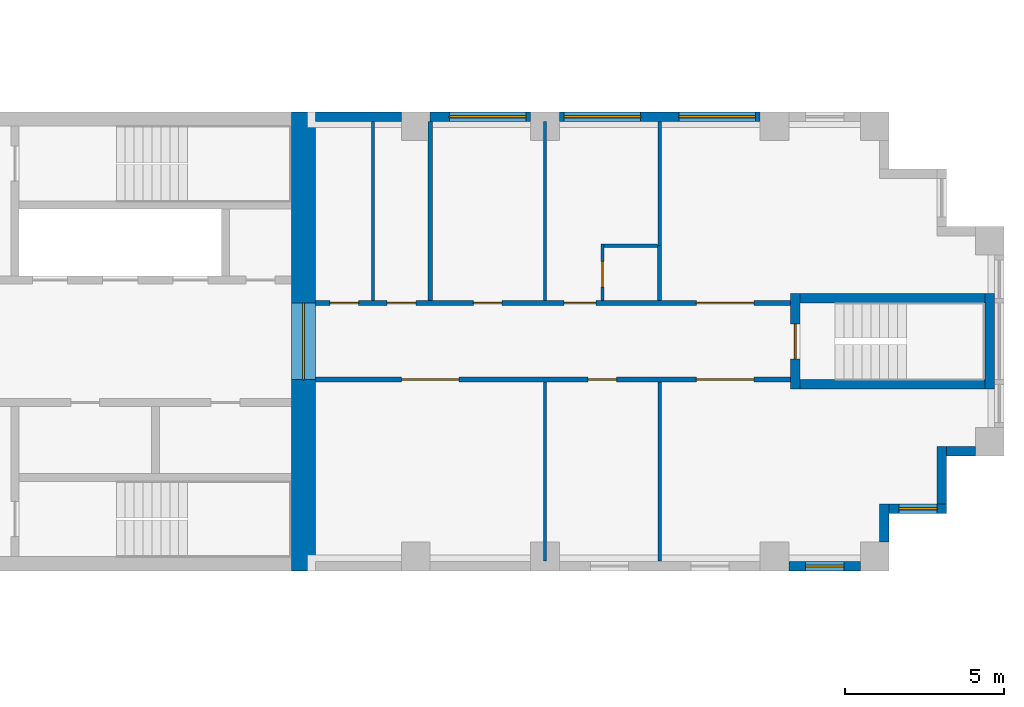
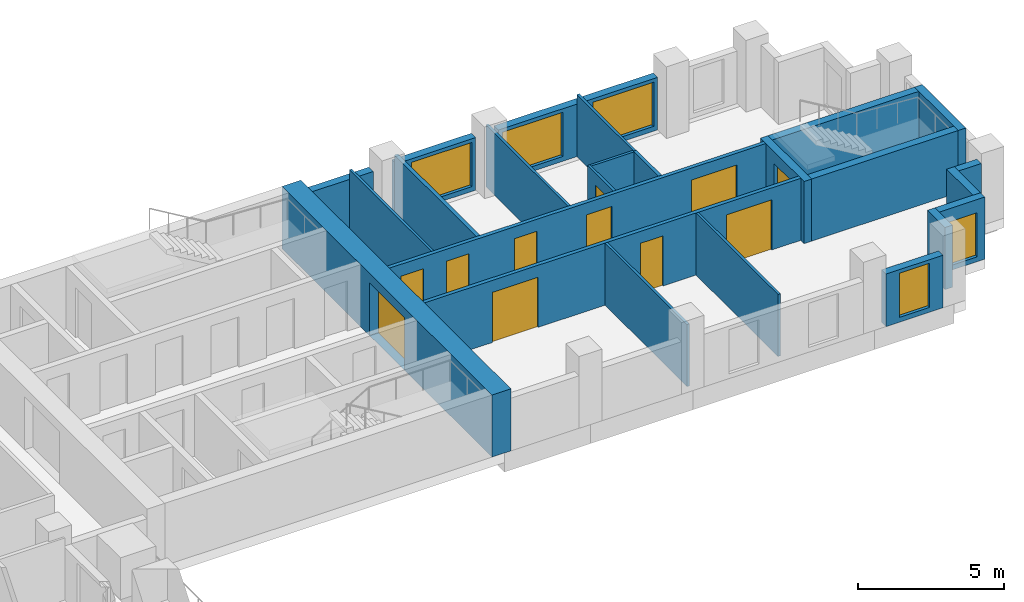
# One storey, part 8 of 11: 24 walls, 11 doors, 5 windows, 16 openings.
"""IFC4 building model written with IfcOpenShell, lengths in metres."""

from ifc_helpers import new_model, si_unit, direction, frame, frame_2d, origin, place, context, subcontext, project, spatial, rectangle, extrude, material, layer, layer_set, type_object, element, fill, save


model = new_model("IFC4")

# Units and contexts
model_context = context("Model", 3, precision=1e-05, world=origin(), true_north=direction((0.0, 1.0)))
body_context = subcontext(model_context, "Body", "Model", "MODEL_VIEW")
ifc_project = project(units=[si_unit("LENGTHUNIT", "METRE"), si_unit("AREAUNIT", "SQUARE_METRE"), si_unit("VOLUMEUNIT", "CUBIC_METRE"), si_unit("PLANEANGLEUNIT", "RADIAN"), si_unit("MASSUNIT", "GRAM", prefix="KILO")], contexts=[model_context])

# Site, building, storey
site_placement = place(None, origin())
site = spatial("IfcSite", under=ifc_project, at=site_placement, CompositionType="ELEMENT")
building_placement = place(site_placement, origin())
building = spatial("IfcBuilding", under=site, at=building_placement, Name="Fustian Cross Tower", CompositionType="ELEMENT")
storey_placement = place(building_placement, frame((0.0, 0.0, 144.300048828125)))
storey = spatial("IfcBuildingStorey", under=building, at=storey_placement, Name="L45", CompositionType="ELEMENT", Elevation=144.300048828125)

# Wall, openings, doors
ifc_material_1 = material(Name="Plasterboard on steel stud", Category="steel")
ifc_layer_1 = layer(ifc_material_1, 0.14990234375)
ifc_layer_set_1 = layer_set([ifc_layer_1], Name="Plasterboard on steel stud")
wall_type_1 = type_object("IfcWallType", Name="COMPARTMENT WALL 150 EI 60", PredefinedType="PARTITIONING", material=ifc_layer_set_1)
wall_1_placement = place(storey_placement, frame((21.60009765625, -1.199951171875, 0.0), z_axis=(0.0, 0.0, 1.0), x_axis=(1.0, 0.0, 0.0)))
wall_1 = element("IfcWall", 1, at=wall_1_placement, inside=storey, type_object=wall_type_1, Name="Partition 36", PredefinedType="PARTITIONING", context=body_context, shape_type="SweptSolid", body=[
    extrude(rectangle(XDim=14.89990234375, YDim=0.14990234375, at=frame_2d((7.449951171875, 0.0))), origin(), (0.0, 0.0, 1.0), 2.599853515625),
])
opening_1_placement = place(wall_1_placement, frame((2.699951171875, 0.0, 0.0)))
opening_1 = element("IfcOpeningElement", 2, at=opening_1_placement, cuts=wall_1, Name="Opening D20011", PredefinedType="OPENING", context=body_context, shape_type="SweptSolid", body=[
    extrude(rectangle(XDim=1.800048828125, YDim=2.10009765625, at=frame_2d((0.89990234375, 1.050048828125))), frame((0.0, 0.0849609375, 0.0), z_axis=(0.0, -1.0, 0.0), x_axis=(1.0, 0.0, 0.0)), (0.0, 0.0, 1.0), 0.169921875),
])
opening_2_placement = place(wall_1_placement, frame((8.550048828125, 0.0, 0.0)))
opening_2 = element("IfcOpeningElement", 3, at=opening_2_placement, cuts=wall_1, Name="Opening D20012", PredefinedType="OPENING", context=body_context, shape_type="SweptSolid", body=[
    extrude(rectangle(XDim=0.89990234375, YDim=2.10009765625, at=frame_2d((0.449951171875, 1.050048828125))), frame((0.0, 0.0849609375, 0.0), z_axis=(0.0, -1.0, 0.0), x_axis=(1.0, 0.0, 0.0)), (0.0, 0.0, 1.0), 0.169921875),
])
opening_3_placement = place(wall_1_placement, frame((11.949951171875, 0.0, 0.0)))
opening_3 = element("IfcOpeningElement", 4, at=opening_3_placement, cuts=wall_1, Name="Opening D20013", PredefinedType="OPENING", context=body_context, shape_type="SweptSolid", body=[
    extrude(rectangle(XDim=1.800048828125, YDim=2.10009765625, at=frame_2d((0.89990234375, 1.050048828125))), frame((0.0, 0.0849609375, 0.0), z_axis=(0.0, -1.0, 0.0), x_axis=(1.0, 0.0, 0.0)), (0.0, 0.0, 1.0), 0.169921875),
])
ifc_material_2 = material(Name="Timber fire door set", Category="wood")
door_type_1 = type_object("IfcDoorType", Name="FIRE DOUBLE DOOR 1800 FD30S", OperationType="DOUBLE_DOOR_DOUBLE_SWING", PredefinedType="DOOR", material=ifc_material_2)
door_1_placement = place(opening_1_placement, origin())
door_1 = element("IfcDoor", 5, at=door_1_placement, inside=storey, type_object=door_type_1, Name="Door D20011", OperationType="DOUBLE_DOOR_DOUBLE_SWING", OverallHeight=2.10009765625, OverallWidth=1.800048828125, PredefinedType="DOOR", context=body_context, shape_type="SweptSolid", body=[
    extrude(rectangle(XDim=1.800048828125, YDim=2.10009765625, at=frame_2d((0.89990234375, 1.050048828125))), frame((0.0, 0.02490234375, 0.0), z_axis=(0.0, -1.0, 0.0), x_axis=(1.0, 0.0, 0.0)), (0.0, 0.0, 1.0), 0.050048828125),
])
fill(opening_1, door_1)
door_2_placement = place(opening_3_placement, origin())
door_2 = element("IfcDoor", 6, at=door_2_placement, inside=storey, type_object=door_type_1, Name="Door D20013", OperationType="DOUBLE_DOOR_DOUBLE_SWING", OverallHeight=2.10009765625, OverallWidth=1.800048828125, PredefinedType="DOOR", context=body_context, shape_type="SweptSolid", body=[
    extrude(rectangle(XDim=1.800048828125, YDim=2.10009765625, at=frame_2d((0.89990234375, 1.050048828125))), frame((0.0, 0.02490234375, 0.0), z_axis=(0.0, -1.0, 0.0), x_axis=(1.0, 0.0, 0.0)), (0.0, 0.0, 1.0), 0.050048828125),
])
fill(opening_3, door_2)
ifc_material_3 = material(Name="Timber fire door set", Category="wood")
door_type_2 = type_object("IfcDoorType", Name="FIRE SWING DOOR 900 FD30S", OperationType="SINGLE_SWING_LEFT", PredefinedType="DOOR", material=ifc_material_3)
door_3_placement = place(opening_2_placement, frame((0.89990234375, 0.0, 0.0), z_axis=(0.0, 0.0, 1.0), x_axis=(-1.0, 0.0, 0.0)))
door_3 = element("IfcDoor", 7, at=door_3_placement, inside=storey, type_object=door_type_2, Name="Door D20012", OperationType="SINGLE_SWING_RIGHT", OverallHeight=2.10009765625, OverallWidth=0.89990234375, PredefinedType="DOOR", context=body_context, shape_type="SweptSolid", body=[
    extrude(rectangle(XDim=0.89990234375, YDim=2.10009765625, at=frame_2d((0.449951171875, 1.050048828125))), frame((0.0, 0.02490234375, 0.0), z_axis=(0.0, -1.0, 0.0), x_axis=(1.0, 0.0, 0.0)), (0.0, 0.0, 1.0), 0.050048828125),
])
fill(opening_2, door_3)

wall_2_placement = place(storey_placement, frame((21.60009765625, 1.199951171875, 0.0), z_axis=(0.0, 0.0, 1.0), x_axis=(1.0, 0.0, 0.0)))
wall_2 = element("IfcWall", 8, at=wall_2_placement, inside=storey, type_object=wall_type_1, Name="Partition 37", PredefinedType="PARTITIONING", context=body_context, shape_type="SweptSolid", body=[
    extrude(rectangle(XDim=14.89990234375, YDim=0.14990234375, at=frame_2d((7.449951171875, 0.0))), origin(), (0.0, 0.0, 1.0), 2.599853515625),
])
opening_4_placement = place(wall_2_placement, frame((0.449951171875, 0.0, 0.0)))
opening_4 = element("IfcOpeningElement", 9, at=opening_4_placement, cuts=wall_2, Name="Opening D20005", PredefinedType="OPENING", context=body_context, shape_type="SweptSolid", body=[
    extrude(rectangle(XDim=0.89990234375, YDim=2.10009765625, at=frame_2d((0.449951171875, 1.050048828125))), frame((0.0, 0.0849609375, 0.0), z_axis=(0.0, -1.0, 0.0), x_axis=(1.0, 0.0, 0.0)), (0.0, 0.0, 1.0), 0.169921875),
])
opening_5_placement = place(wall_2_placement, frame((2.25, 0.0, 0.0)))
opening_5 = element("IfcOpeningElement", 10, at=opening_5_placement, cuts=wall_2, Name="Opening D20006", PredefinedType="OPENING", context=body_context, shape_type="SweptSolid", body=[
    extrude(rectangle(XDim=0.89990234375, YDim=2.10009765625, at=frame_2d((0.449951171875, 1.050048828125))), frame((0.0, 0.0849609375, 0.0), z_axis=(0.0, -1.0, 0.0), x_axis=(1.0, 0.0, 0.0)), (0.0, 0.0, 1.0), 0.169921875),
])
opening_6_placement = place(wall_2_placement, frame((4.949951171875, 0.0, 0.0)))
opening_6 = element("IfcOpeningElement", 11, at=opening_6_placement, cuts=wall_2, Name="Opening D20007", PredefinedType="OPENING", context=body_context, shape_type="SweptSolid", body=[
    extrude(rectangle(XDim=0.89990234375, YDim=2.10009765625, at=frame_2d((0.449951171875, 1.050048828125))), frame((0.0, 0.0849609375, 0.0), z_axis=(0.0, -1.0, 0.0), x_axis=(1.0, 0.0, 0.0)), (0.0, 0.0, 1.0), 0.169921875),
])
opening_7_placement = place(wall_2_placement, frame((7.800048828125, 0.0, 0.0)))
opening_7 = element("IfcOpeningElement", 12, at=opening_7_placement, cuts=wall_2, Name="Opening D20009", PredefinedType="OPENING", context=body_context, shape_type="SweptSolid", body=[
    extrude(rectangle(XDim=1.0, YDim=2.10009765625, at=frame_2d((0.5, 1.050048828125))), frame((0.0, 0.0849609375, 0.0), z_axis=(0.0, -1.0, 0.0), x_axis=(1.0, 0.0, 0.0)), (0.0, 0.0, 1.0), 0.169921875),
])
opening_8_placement = place(wall_2_placement, frame((11.949951171875, 0.0, 0.0)))
opening_8 = element("IfcOpeningElement", 13, at=opening_8_placement, cuts=wall_2, Name="Opening D20010", PredefinedType="OPENING", context=body_context, shape_type="SweptSolid", body=[
    extrude(rectangle(XDim=1.800048828125, YDim=2.10009765625, at=frame_2d((0.89990234375, 1.050048828125))), frame((0.0, 0.0849609375, 0.0), z_axis=(0.0, -1.0, 0.0), x_axis=(1.0, 0.0, 0.0)), (0.0, 0.0, 1.0), 0.169921875),
])
door_4_placement = place(opening_8_placement, frame((1.800048828125, 0.0, 0.0), z_axis=(0.0, 0.0, 1.0), x_axis=(-1.0, 0.0, 0.0)))
door_4 = element("IfcDoor", 14, at=door_4_placement, inside=storey, type_object=door_type_1, Name="Door D20010", OperationType="DOUBLE_DOOR_DOUBLE_SWING", OverallHeight=2.10009765625, OverallWidth=1.800048828125, PredefinedType="DOOR", context=body_context, shape_type="SweptSolid", body=[
    extrude(rectangle(XDim=1.800048828125, YDim=2.10009765625, at=frame_2d((0.89990234375, 1.050048828125))), frame((0.0, 0.02490234375, 0.0), z_axis=(0.0, -1.0, 0.0), x_axis=(1.0, 0.0, 0.0)), (0.0, 0.0, 1.0), 0.050048828125),
])
fill(opening_8, door_4)
ifc_material_4 = material(Name="Timber fire door set", Category="wood")
door_type_3 = type_object("IfcDoorType", Name="FIRE SWING DOOR 1000 FD30S", OperationType="SINGLE_SWING_LEFT", PredefinedType="DOOR", material=ifc_material_4)
door_5_placement = place(opening_7_placement, origin())
door_5 = element("IfcDoor", 15, at=door_5_placement, inside=storey, type_object=door_type_3, Name="Door D20009", OperationType="SINGLE_SWING_RIGHT", OverallHeight=2.10009765625, OverallWidth=1.0, PredefinedType="DOOR", context=body_context, shape_type="SweptSolid", body=[
    extrude(rectangle(XDim=1.0, YDim=2.10009765625, at=frame_2d((0.5, 1.050048828125))), frame((0.0, 0.02490234375, 0.0), z_axis=(0.0, -1.0, 0.0), x_axis=(1.0, 0.0, 0.0)), (0.0, 0.0, 1.0), 0.050048828125),
])
fill(opening_7, door_5)
door_6_placement = place(opening_4_placement, origin())
door_6 = element("IfcDoor", 16, at=door_6_placement, inside=storey, type_object=door_type_2, Name="Door D20005", OperationType="SINGLE_SWING_RIGHT", OverallHeight=2.10009765625, OverallWidth=0.89990234375, PredefinedType="DOOR", context=body_context, shape_type="SweptSolid", body=[
    extrude(rectangle(XDim=0.89990234375, YDim=2.10009765625, at=frame_2d((0.449951171875, 1.050048828125))), frame((0.0, 0.02490234375, 0.0), z_axis=(0.0, -1.0, 0.0), x_axis=(1.0, 0.0, 0.0)), (0.0, 0.0, 1.0), 0.050048828125),
])
fill(opening_4, door_6)
door_7_placement = place(opening_5_placement, origin())
door_7 = element("IfcDoor", 17, at=door_7_placement, inside=storey, type_object=door_type_2, Name="Door D20006", OperationType="SINGLE_SWING_RIGHT", OverallHeight=2.10009765625, OverallWidth=0.89990234375, PredefinedType="DOOR", context=body_context, shape_type="SweptSolid", body=[
    extrude(rectangle(XDim=0.89990234375, YDim=2.10009765625, at=frame_2d((0.449951171875, 1.050048828125))), frame((0.0, 0.02490234375, 0.0), z_axis=(0.0, -1.0, 0.0), x_axis=(1.0, 0.0, 0.0)), (0.0, 0.0, 1.0), 0.050048828125),
])
fill(opening_5, door_7)
door_8_placement = place(opening_6_placement, origin())
door_8 = element("IfcDoor", 18, at=door_8_placement, inside=storey, type_object=door_type_2, Name="Door D20007", OperationType="SINGLE_SWING_LEFT", OverallHeight=2.10009765625, OverallWidth=0.89990234375, PredefinedType="DOOR", context=body_context, shape_type="SweptSolid", body=[
    extrude(rectangle(XDim=0.89990234375, YDim=2.10009765625, at=frame_2d((0.449951171875, 1.050048828125))), frame((0.0, 0.02490234375, 0.0), z_axis=(0.0, -1.0, 0.0), x_axis=(1.0, 0.0, 0.0)), (0.0, 0.0, 1.0), 0.050048828125),
])
fill(opening_6, door_8)

# Wall
wall_3_placement = place(storey_placement, frame((25.199951171875, 1.27490234375, 0.0), z_axis=(0.0, 0.0, 1.0), x_axis=(0.0, 1.0, 0.0)))
element("IfcWall", 19, at=wall_3_placement, inside=storey, type_object=wall_type_1, Name="Partition 39", PredefinedType="PARTITIONING", context=body_context, shape_type="SweptSolid", body=[
    extrude(rectangle(XDim=5.625, YDim=0.14990234375, at=frame_2d((2.8125, 0.0))), origin(), (0.0, 0.0, 1.0), 2.599853515625),
])

# Wall, opening, door
ifc_material_5 = material(Name="Concrete C60/75", Category="concrete")
ifc_layer_2 = layer(ifc_material_5, 0.75)
ifc_layer_set_2 = layer_set([ifc_layer_2], Name="Concrete C60/75")
wall_type_2 = type_object("IfcWallType", Name="CORE END WALL 750 C60/75", PredefinedType="SHEAR", material=ifc_layer_set_2)
wall_4_placement = place(storey_placement, frame((21.22509765625, -7.199951171875, 0.0), z_axis=(0.0, 0.0, 1.0), x_axis=(0.0, 1.0, 0.0)))
wall_4 = element("IfcWall", 20, at=wall_4_placement, inside=storey, type_object=wall_type_2, Name="Core end wall", PredefinedType="SHEAR", context=body_context, shape_type="SweptSolid", body=[
    extrude(rectangle(XDim=14.39990234375, YDim=0.75, at=frame_2d((7.199951171875, 0.0))), origin(), (0.0, 0.0, 1.0), 2.599853515625),
])
opening_9_placement = place(wall_4_placement, frame((6.0, 0.0, 0.0)))
opening_9 = element("IfcOpeningElement", 21, at=opening_9_placement, cuts=wall_4, Name="Opening CD-18-13", PredefinedType="OPENING", context=body_context, shape_type="SweptSolid", body=[
    extrude(rectangle(XDim=2.39990234375, YDim=2.199951171875, at=frame_2d((1.199951171875, 1.10009765625))), frame((0.0, 0.385009765625, 0.0), z_axis=(0.0, -1.0, 0.0), x_axis=(1.0, 0.0, 0.0)), (0.0, 0.0, 1.0), 0.77001953125),
])
ifc_material_6 = material(Name="Steel", Category="steel")
door_type_4 = type_object("IfcDoorType", Name="FIRE DOOR FD30S DOUBLE 2400X2200", OperationType="DOUBLE_DOOR_DOUBLE_SWING", PredefinedType="DOOR", material=ifc_material_6)
door_9_placement = place(opening_9_placement, origin())
door_9 = element("IfcDoor", 22, at=door_9_placement, inside=storey, type_object=door_type_4, Name="Core door CD-18-13", OperationType="DOUBLE_DOOR_DOUBLE_SWING", OverallHeight=2.199951171875, OverallWidth=2.39990234375, PredefinedType="DOOR", context=body_context, shape_type="SweptSolid", body=[
    extrude(rectangle(XDim=2.39990234375, YDim=2.199951171875, at=frame_2d((1.199951171875, 1.10009765625))), frame((0.0, 0.02490234375, 0.0), z_axis=(0.0, -1.0, 0.0), x_axis=(1.0, 0.0, 0.0)), (0.0, 0.0, 1.0), 0.050048828125),
])
fill(opening_9, door_9)

# Walls
ifc_material_7 = material(Name="Plasterboard on steel stud", Category="steel")
ifc_layer_3 = layer(ifc_material_7, 0.10009765625)
ifc_layer_set_3 = layer_set([ifc_layer_3], Name="Plasterboard on steel stud")
wall_type_3 = type_object("IfcWallType", Name="PARTITION 100 STUD", PredefinedType="PARTITIONING", material=ifc_layer_set_3)
for number, where, z_axis, x_axis, name in (
    (23, (23.39990234375, 1.27490234375, 0.0), (0.0, 0.0, 1.0), (0.0, 1.0, 0.0), "Partition 38"),
    (24, (28.800048828125, -6.89990234375, 0.0), (0.0, 0.0, 1.0), (0.0, 1.0, 0.0), "Partition 40"),
    (25, (28.800048828125, 1.27490234375, 0.0), (0.0, 0.0, 1.0), (0.0, 1.0, 0.0), "Partition 41"),
):
    element("IfcWall", number, at=place(storey_placement, frame(where, z_axis=z_axis, x_axis=x_axis)), inside=storey, type_object=wall_type_3, Name=name, PredefinedType="PARTITIONING", context=body_context, shape_type="SweptSolid", body=[
        extrude(rectangle(XDim=5.625, YDim=0.10009765625, at=frame_2d((2.8125, 0.0))), origin(), (0.0, 0.0, 1.0), 2.599853515625),
    ])

# Wall, opening, door
wall_5_placement = place(storey_placement, frame((30.60009765625, 1.27490234375, 0.0), z_axis=(0.0, 0.0, 1.0), x_axis=(0.0, 1.0, 0.0)))
wall_5 = element("IfcWall", 26, at=wall_5_placement, inside=storey, type_object=wall_type_3, Name="Partition 42", PredefinedType="PARTITIONING", context=body_context, shape_type="SweptSolid", body=[
    extrude(rectangle(XDim=1.775146484375, YDim=0.10009765625, at=frame_2d((0.8876953125, 0.0))), origin(), (0.0, 0.0, 1.0), 2.599853515625),
])
opening_10_placement = place(wall_5_placement, frame((0.425048828125, 0.0, 0.0)))
opening_10 = element("IfcOpeningElement", 27, at=opening_10_placement, cuts=wall_5, Name="Opening D20008", PredefinedType="OPENING", context=body_context, shape_type="SweptSolid", body=[
    extrude(rectangle(XDim=0.800048828125, YDim=2.10009765625, at=frame_2d((0.39990234375, 1.050048828125))), frame((0.0, 0.06005859375, 0.0), z_axis=(0.0, -1.0, 0.0), x_axis=(1.0, 0.0, 0.0)), (0.0, 0.0, 1.0), 0.1201171875),
])
ifc_material_8 = material(Name="Painted timber", Category="wood")
door_type_5 = type_object("IfcDoorType", Name="SWING DOOR 800", OperationType="SINGLE_SWING_LEFT", PredefinedType="DOOR", material=ifc_material_8)
door_10_placement = place(opening_10_placement, frame((0.800048828125, 0.0, 0.0), z_axis=(0.0, 0.0, 1.0), x_axis=(-1.0, 0.0, 0.0)))
door_10 = element("IfcDoor", 28, at=door_10_placement, inside=storey, type_object=door_type_5, Name="Door D20008", OperationType="SINGLE_SWING_LEFT", OverallHeight=2.10009765625, OverallWidth=0.800048828125, PredefinedType="DOOR", context=body_context, shape_type="SweptSolid", body=[
    extrude(rectangle(XDim=0.800048828125, YDim=2.10009765625, at=frame_2d((0.39990234375, 1.050048828125))), frame((0.0, 0.02490234375, 0.0), z_axis=(0.0, -1.0, 0.0), x_axis=(1.0, 0.0, 0.0)), (0.0, 0.0, 1.0), 0.050048828125),
])
fill(opening_10, door_10)

# Walls
wall_6_placement = place(storey_placement, frame((30.64990234375, 3.0, 0.0), z_axis=(0.0, 0.0, 1.0), x_axis=(1.0, 0.0, 0.0)))
element("IfcWall", 29, at=wall_6_placement, inside=storey, type_object=wall_type_3, Name="Partition 43", PredefinedType="PARTITIONING", context=body_context, shape_type="SweptSolid", body=[
    extrude(rectangle(XDim=1.6875, YDim=0.10009765625, at=frame_2d((0.84375, 0.0))), origin(), (0.0, 0.0, 1.0), 2.599853515625),
])
wall_7_placement = place(storey_placement, frame((32.39990234375, -6.89990234375, 0.0), z_axis=(0.0, 0.0, 1.0), x_axis=(0.0, 1.0, 0.0)))
element("IfcWall", 30, at=wall_7_placement, inside=storey, type_object=wall_type_3, Name="Partition 44", PredefinedType="PARTITIONING", context=body_context, shape_type="SweptSolid", body=[
    extrude(rectangle(XDim=5.625, YDim=0.10009765625, at=frame_2d((2.8125, 0.0))), origin(), (0.0, 0.0, 1.0), 2.599853515625),
])
wall_8_placement = place(storey_placement, frame((32.39990234375, 3.0, 0.0), z_axis=(0.0, 0.0, 1.0), x_axis=(0.0, 1.0, 0.0)))
element("IfcWall", 31, at=wall_8_placement, inside=storey, type_object=wall_type_3, Name="Partition 46", PredefinedType="PARTITIONING", context=body_context, shape_type="SweptSolid", body=[
    extrude(rectangle(XDim=3.89990234375, YDim=0.10009765625, at=frame_2d((1.949951171875, 0.0))), origin(), (0.0, 0.0, 1.0), 2.599853515625),
])

# Wall, opening, door
ifc_material_9 = material(Name="Concrete C50/60", Category="concrete")
ifc_layer_4 = layer(ifc_material_9, 0.300048828125)
ifc_layer_set_4 = layer_set([ifc_layer_4], Name="Concrete C50/60")
wall_type_4 = type_object("IfcWallType", Name="STAIR ENCLOSURE WALL 300 C50/60", PredefinedType="SHEAR", material=ifc_layer_set_4)
wall_9_placement = place(storey_placement, frame((36.64990234375, -1.5, 0.0), z_axis=(0.0, 0.0, 1.0), x_axis=(0.0, 1.0, 0.0)))
wall_9 = element("IfcWall", 32, at=wall_9_placement, inside=storey, type_object=wall_type_4, Name="Stair enclosure wall", PredefinedType="SHEAR", context=body_context, shape_type="SweptSolid", body=[
    extrude(rectangle(XDim=3.0, YDim=0.300048828125, at=frame_2d((1.5, 0.0))), origin(), (0.0, 0.0, 1.0), 2.599853515625),
])
opening_11_placement = place(wall_9_placement, frame((0.949951171875, 0.0, 0.0)))
opening_11 = element("IfcOpeningElement", 33, at=opening_11_placement, cuts=wall_9, Name="Opening CD-18-33", PredefinedType="OPENING", context=body_context, shape_type="SweptSolid", body=[
    extrude(rectangle(XDim=1.10009765625, YDim=2.10009765625, at=frame_2d((0.550048828125, 1.050048828125))), frame((0.0, 0.159912109375, 0.0), z_axis=(0.0, -1.0, 0.0), x_axis=(1.0, 0.0, 0.0)), (0.0, 0.0, 1.0), 0.320068359375),
])
ifc_material_10 = material(Name="Steel", Category="steel")
door_type_6 = type_object("IfcDoorType", Name="FIRE DOOR FD60S 1100X2100", OperationType="SINGLE_SWING_LEFT", PredefinedType="DOOR", material=ifc_material_10)
door_11_placement = place(opening_11_placement, frame((1.10009765625, 0.0, 0.0), z_axis=(0.0, 0.0, 1.0), x_axis=(-1.0, 0.0, 0.0)))
door_11 = element("IfcDoor", 34, at=door_11_placement, inside=storey, type_object=door_type_6, Name="Core door CD-18-33", OperationType="SINGLE_SWING_RIGHT", OverallHeight=2.10009765625, OverallWidth=1.10009765625, PredefinedType="DOOR", context=body_context, shape_type="SweptSolid", body=[
    extrude(rectangle(XDim=1.10009765625, YDim=2.10009765625, at=frame_2d((0.550048828125, 1.050048828125))), frame((0.0, 0.02490234375, 0.0), z_axis=(0.0, -1.0, 0.0), x_axis=(1.0, 0.0, 0.0)), (0.0, 0.0, 1.0), 0.050048828125),
])
fill(opening_11, door_11)

# Walls
wall_10_placement = place(storey_placement, frame((42.75, -1.5, 0.0), z_axis=(0.0, 0.0, 1.0), x_axis=(0.0, 1.0, 0.0)))
element("IfcWall", 35, at=wall_10_placement, inside=storey, type_object=wall_type_4, Name="Stair enclosure wall", PredefinedType="SHEAR", context=body_context, shape_type="SweptSolid", body=[
    extrude(rectangle(XDim=3.0, YDim=0.300048828125, at=frame_2d((1.5, 0.0))), origin(), (0.0, 0.0, 1.0), 2.599853515625),
])
for number, where, z_axis, x_axis, name in (
    (36, (36.800048828125, -1.35009765625, 0.0), (0.0, 0.0, 1.0), (1.0, 0.0, 0.0), "Stair enclosure wall"),
    (37, (36.800048828125, 1.35009765625, 0.0), (0.0, 0.0, 1.0), (1.0, 0.0, 0.0), "Stair enclosure wall"),
):
    element("IfcWall", number, at=place(storey_placement, frame(where, z_axis=z_axis, x_axis=x_axis)), inside=storey, type_object=wall_type_4, Name=name, PredefinedType="SHEAR", context=body_context, shape_type="SweptSolid", body=[
        extrude(rectangle(XDim=5.800048828125, YDim=0.300048828125, at=frame_2d((2.89990234375, 0.0))), origin(), (0.0, 0.0, 1.0), 2.599853515625),
    ])
ifc_material_11 = material(Name="Plasterboard on steel stud", Category="steel")
ifc_layer_5 = layer(ifc_material_11, 0.125)
ifc_layer_set_5 = layer_set([ifc_layer_5], Name="Plasterboard on steel stud")
wall_type_5 = type_object("IfcWallType", Name="WET WALL 125 STUD", PredefinedType="PARTITIONING", material=ifc_layer_set_5)
wall_11_placement = place(storey_placement, frame((32.39990234375, 1.27490234375, 0.0), z_axis=(0.0, 0.0, 1.0), x_axis=(0.0, 1.0, 0.0)))
element("IfcWall", 38, at=wall_11_placement, inside=storey, type_object=wall_type_5, Name="Partition 45", PredefinedType="PARTITIONING", context=body_context, shape_type="SweptSolid", body=[
    extrude(rectangle(XDim=1.72509765625, YDim=0.125, at=frame_2d((0.862548828125, 0.0))), origin(), (0.0, 0.0, 1.0), 2.599853515625),
])

# Wall, opening, window
ifc_material_12 = material(Name="Dark aluminium cladding on insulated backing wall", Category="aluminium")
ifc_layer_6 = layer(ifc_material_12, 0.300048828125)
ifc_layer_set_6 = layer_set([ifc_layer_6], Name="Dark aluminium cladding on insulated backing wall")
wall_type_6 = type_object("IfcWallType", Name="XW1 EXTERNAL WALL 300", PredefinedType="SOLIDWALL", material=ifc_layer_set_6)
wall_12_placement = place(storey_placement, frame((36.449951171875, -7.050048828125, 0.0), z_axis=(0.0, 0.0, 1.0), x_axis=(1.0, 0.0, 0.0)))
wall_12 = element("IfcWall", 39, at=wall_12_placement, inside=storey, type_object=wall_type_6, Name="External wall", PredefinedType="SOLIDWALL", context=body_context, shape_type="SweptSolid", body=[
    extrude(rectangle(XDim=2.25, YDim=0.300048828125, at=frame_2d((1.125, 0.0))), origin(), (0.0, 0.0, 1.0), 2.199951171875),
])
opening_12_placement = place(wall_12_placement, frame((0.52490234375, 0.0, 0.199951171875)))
opening_12 = element("IfcOpeningElement", 40, at=opening_12_placement, cuts=wall_12, Name="Opening WN3", PredefinedType="OPENING", context=body_context, shape_type="SweptSolid", body=[
    extrude(rectangle(XDim=1.199951171875, YDim=1.85009765625, at=frame_2d((0.60009765625, 0.925048828125))), frame((0.0, 0.159912109375, 0.0), z_axis=(0.0, -1.0, 0.0), x_axis=(1.0, 0.0, 0.0)), (0.0, 0.0, 1.0), 0.320068359375),
])
ifc_material_13 = material(Name="Dark anodised aluminium and double glazing", Category="aluminium")
window_type_1 = type_object("IfcWindowType", Name="WN3 WINDOW 1200X1850", PartitioningType="SINGLE_PANEL", PredefinedType="WINDOW", material=ifc_material_13)
window_1_placement = place(opening_12_placement, origin())
window_1 = element("IfcWindow", 41, at=window_1_placement, inside=storey, type_object=window_type_1, Name="Window", OverallHeight=1.85009765625, OverallWidth=1.199951171875, PartitioningType="SINGLE_PANEL", PredefinedType="WINDOW", context=body_context, shape_type="SweptSolid", body=[
    extrude(rectangle(XDim=1.199951171875, YDim=1.85009765625, at=frame_2d((0.60009765625, 0.925048828125))), frame((0.0, 0.030029296875, 0.0), z_axis=(0.0, -1.0, 0.0), x_axis=(1.0, 0.0, 0.0)), (0.0, 0.0, 1.0), 0.06005859375),
])
fill(opening_12, window_1)

# Wall
wall_13_placement = place(storey_placement, frame((39.449951171875, -6.300048828125, 0.0), z_axis=(0.0, 0.0, 1.0), x_axis=(0.0, 1.0, 0.0)))
element("IfcWall", 42, at=wall_13_placement, inside=storey, type_object=wall_type_6, Name="External wall", PredefinedType="SOLIDWALL", context=body_context, shape_type="SweptSolid", body=[
    extrude(rectangle(XDim=1.199951171875, YDim=0.300048828125, at=frame_2d((0.60009765625, 0.0))), origin(), (0.0, 0.0, 1.0), 2.599853515625),
])

# Wall, opening, window
wall_14_placement = place(storey_placement, frame((39.60009765625, -5.25, 0.0), z_axis=(0.0, 0.0, 1.0), x_axis=(1.0, 0.0, 0.0)))
wall_14 = element("IfcWall", 43, at=wall_14_placement, inside=storey, type_object=wall_type_6, Name="External wall", PredefinedType="SOLIDWALL", context=body_context, shape_type="SweptSolid", body=[
    extrude(rectangle(XDim=1.7998046875, YDim=0.300048828125, at=frame_2d((0.89990234375, 0.0))), origin(), (0.0, 0.0, 1.0), 2.599853515625),
])
opening_13_placement = place(wall_14_placement, frame((0.300048828125, 0.0, 0.199951171875)))
opening_13 = element("IfcOpeningElement", 44, at=opening_13_placement, cuts=wall_14, Name="Opening WN3", PredefinedType="OPENING", context=body_context, shape_type="SweptSolid", body=[
    extrude(rectangle(XDim=1.199951171875, YDim=1.85009765625, at=frame_2d((0.60009765625, 0.925048828125))), frame((0.0, 0.159912109375, 0.0), z_axis=(0.0, -1.0, 0.0), x_axis=(1.0, 0.0, 0.0)), (0.0, 0.0, 1.0), 0.320068359375),
])
window_2_placement = place(opening_13_placement, origin())
window_2 = element("IfcWindow", 45, at=window_2_placement, inside=storey, type_object=window_type_1, Name="Window", OverallHeight=1.85009765625, OverallWidth=1.199951171875, PartitioningType="SINGLE_PANEL", PredefinedType="WINDOW", context=body_context, shape_type="SweptSolid", body=[
    extrude(rectangle(XDim=1.199951171875, YDim=1.85009765625, at=frame_2d((0.60009765625, 0.925048828125))), frame((0.0, 0.030029296875, 0.0), z_axis=(0.0, -1.0, 0.0), x_axis=(1.0, 0.0, 0.0)), (0.0, 0.0, 1.0), 0.06005859375),
])
fill(opening_13, window_2)

# Walls
wall_15_placement = place(storey_placement, frame((41.25, -5.10009765625, 0.0), z_axis=(0.0, 0.0, 1.0), x_axis=(0.0, 1.0, 0.0)))
element("IfcWall", 46, at=wall_15_placement, inside=storey, type_object=wall_type_6, Name="External wall", PredefinedType="SOLIDWALL", context=body_context, shape_type="SweptSolid", body=[
    extrude(rectangle(XDim=1.800048828125, YDim=0.300048828125, at=frame_2d((0.89990234375, 0.0))), origin(), (0.0, 0.0, 1.0), 2.599853515625),
])
wall_16_placement = place(storey_placement, frame((41.39990234375, -3.449951171875, 0.0), z_axis=(0.0, 0.0, 1.0), x_axis=(1.0, 0.0, 0.0)))
element("IfcWall", 47, at=wall_16_placement, inside=storey, type_object=wall_type_6, Name="External wall", PredefinedType="SOLIDWALL", context=body_context, shape_type="SweptSolid", body=[
    extrude(rectangle(XDim=0.900146484375, YDim=0.300048828125, at=frame_2d((0.4501953125, 0.0))), origin(), (0.0, 0.0, 1.0), 2.599853515625),
])

# Wall, openings, windows
wall_17_placement = place(storey_placement, frame((35.550048828125, 7.050048828125, 0.0), z_axis=(0.0, 0.0, 1.0), x_axis=(-1.0, 0.0, 0.0)))
wall_17 = element("IfcWall", 48, at=wall_17_placement, inside=storey, type_object=wall_type_6, Name="External wall", PredefinedType="SOLIDWALL", context=body_context, shape_type="SweptSolid", body=[
    extrude(rectangle(XDim=6.300048828125, YDim=0.300048828125, at=frame_2d((3.14990234375, 0.0))), origin(), (0.0, 0.0, 1.0), 2.199951171875),
])
opening_14_placement = place(wall_17_placement, frame((0.14990234375, 0.0, 0.199951171875)))
opening_14 = element("IfcOpeningElement", 49, at=opening_14_placement, cuts=wall_17, Name="Opening WN1", PredefinedType="OPENING", context=body_context, shape_type="SweptSolid", body=[
    extrude(rectangle(XDim=2.39990234375, YDim=1.85009765625, at=frame_2d((1.199951171875, 0.925048828125))), frame((0.0, 0.159912109375, 0.0), z_axis=(0.0, -1.0, 0.0), x_axis=(1.0, 0.0, 0.0)), (0.0, 0.0, 1.0), 0.320068359375),
])
opening_15_placement = place(wall_17_placement, frame((3.75, 0.0, 0.199951171875)))
opening_15 = element("IfcOpeningElement", 50, at=opening_15_placement, cuts=wall_17, Name="Opening WN1", PredefinedType="OPENING", context=body_context, shape_type="SweptSolid", body=[
    extrude(rectangle(XDim=2.39990234375, YDim=1.85009765625, at=frame_2d((1.199951171875, 0.925048828125))), frame((0.0, 0.159912109375, 0.0), z_axis=(0.0, -1.0, 0.0), x_axis=(1.0, 0.0, 0.0)), (0.0, 0.0, 1.0), 0.320068359375),
])
ifc_material_14 = material(Name="Dark anodised aluminium and double glazing", Category="aluminium")
window_type_2 = type_object("IfcWindowType", Name="WN1 WINDOW 2400X1850", PartitioningType="SINGLE_PANEL", PredefinedType="WINDOW", material=ifc_material_14)
window_3_placement = place(opening_14_placement, origin())
window_3 = element("IfcWindow", 51, at=window_3_placement, inside=storey, type_object=window_type_2, Name="Window", OverallHeight=1.85009765625, OverallWidth=2.39990234375, PartitioningType="SINGLE_PANEL", PredefinedType="WINDOW", context=body_context, shape_type="SweptSolid", body=[
    extrude(rectangle(XDim=2.39990234375, YDim=1.85009765625, at=frame_2d((1.199951171875, 0.925048828125))), frame((0.0, 0.030029296875, 0.0), z_axis=(0.0, -1.0, 0.0), x_axis=(1.0, 0.0, 0.0)), (0.0, 0.0, 1.0), 0.06005859375),
])
fill(opening_14, window_3)
window_4_placement = place(opening_15_placement, origin())
window_4 = element("IfcWindow", 52, at=window_4_placement, inside=storey, type_object=window_type_2, Name="Window", OverallHeight=1.85009765625, OverallWidth=2.39990234375, PartitioningType="SINGLE_PANEL", PredefinedType="WINDOW", context=body_context, shape_type="SweptSolid", body=[
    extrude(rectangle(XDim=2.39990234375, YDim=1.85009765625, at=frame_2d((1.199951171875, 0.925048828125))), frame((0.0, 0.030029296875, 0.0), z_axis=(0.0, -1.0, 0.0), x_axis=(1.0, 0.0, 0.0)), (0.0, 0.0, 1.0), 0.06005859375),
])
fill(opening_15, window_4)

# Wall, opening, window
wall_18_placement = place(storey_placement, frame((28.35009765625, 7.050048828125, 0.0), z_axis=(0.0, 0.0, 1.0), x_axis=(-1.0, 0.0, 0.0)))
wall_18 = element("IfcWall", 53, at=wall_18_placement, inside=storey, type_object=wall_type_6, Name="External wall", PredefinedType="SOLIDWALL", context=body_context, shape_type="SweptSolid", body=[
    extrude(rectangle(XDim=3.150146484375, YDim=0.300048828125, at=frame_2d((1.5751953125, 0.0))), origin(), (0.0, 0.0, 1.0), 2.199951171875),
])
opening_16_placement = place(wall_18_placement, frame((0.14990234375, 0.0, 0.199951171875)))
opening_16 = element("IfcOpeningElement", 54, at=opening_16_placement, cuts=wall_18, Name="Opening WN1", PredefinedType="OPENING", context=body_context, shape_type="SweptSolid", body=[
    extrude(rectangle(XDim=2.39990234375, YDim=1.85009765625, at=frame_2d((1.199951171875, 0.925048828125))), frame((0.0, 0.159912109375, 0.0), z_axis=(0.0, -1.0, 0.0), x_axis=(1.0, 0.0, 0.0)), (0.0, 0.0, 1.0), 0.320068359375),
])
window_5_placement = place(opening_16_placement, origin())
window_5 = element("IfcWindow", 55, at=window_5_placement, inside=storey, type_object=window_type_2, Name="Window", OverallHeight=1.85009765625, OverallWidth=2.39990234375, PartitioningType="SINGLE_PANEL", PredefinedType="WINDOW", context=body_context, shape_type="SweptSolid", body=[
    extrude(rectangle(XDim=2.39990234375, YDim=1.85009765625, at=frame_2d((1.199951171875, 0.925048828125))), frame((0.0, 0.030029296875, 0.0), z_axis=(0.0, -1.0, 0.0), x_axis=(1.0, 0.0, 0.0)), (0.0, 0.0, 1.0), 0.06005859375),
])
fill(opening_16, window_5)

# Wall
wall_19_placement = place(storey_placement, frame((24.300048828125, 7.050048828125, 0.0), z_axis=(0.0, 0.0, 1.0), x_axis=(-1.0, 0.0, 0.0)))
element("IfcWall", 56, at=wall_19_placement, inside=storey, type_object=wall_type_6, Name="External wall", PredefinedType="SOLIDWALL", context=body_context, shape_type="SweptSolid", body=[
    extrude(rectangle(XDim=2.699951171875, YDim=0.300048828125, at=frame_2d((1.35009765625, 0.0))), origin(), (0.0, 0.0, 1.0), 2.199951171875),
])

save(model, "model.ifc")
